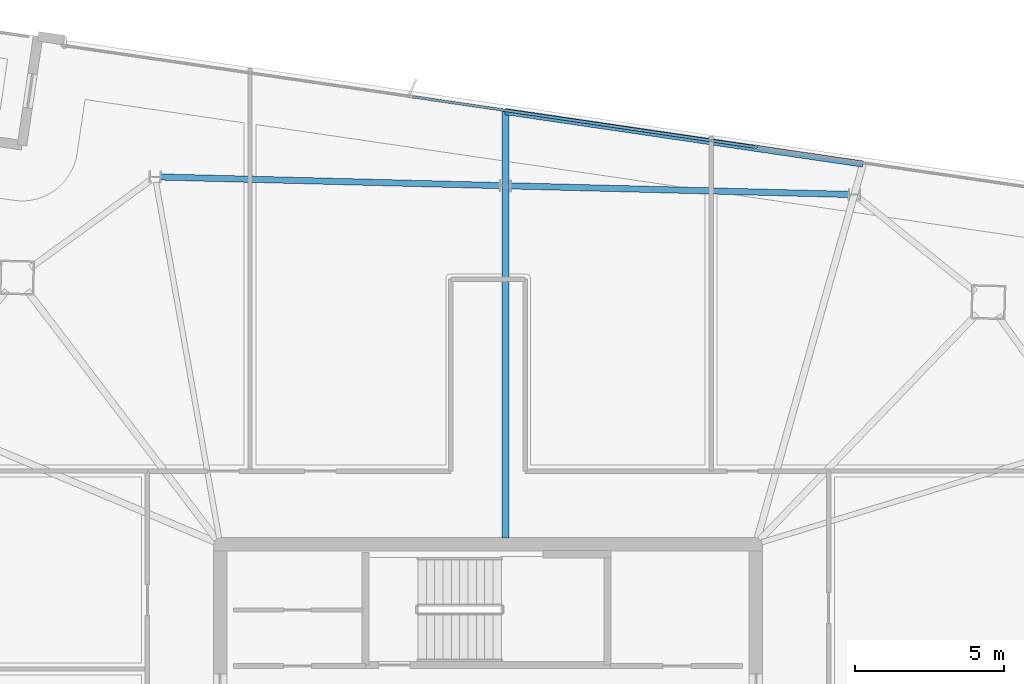
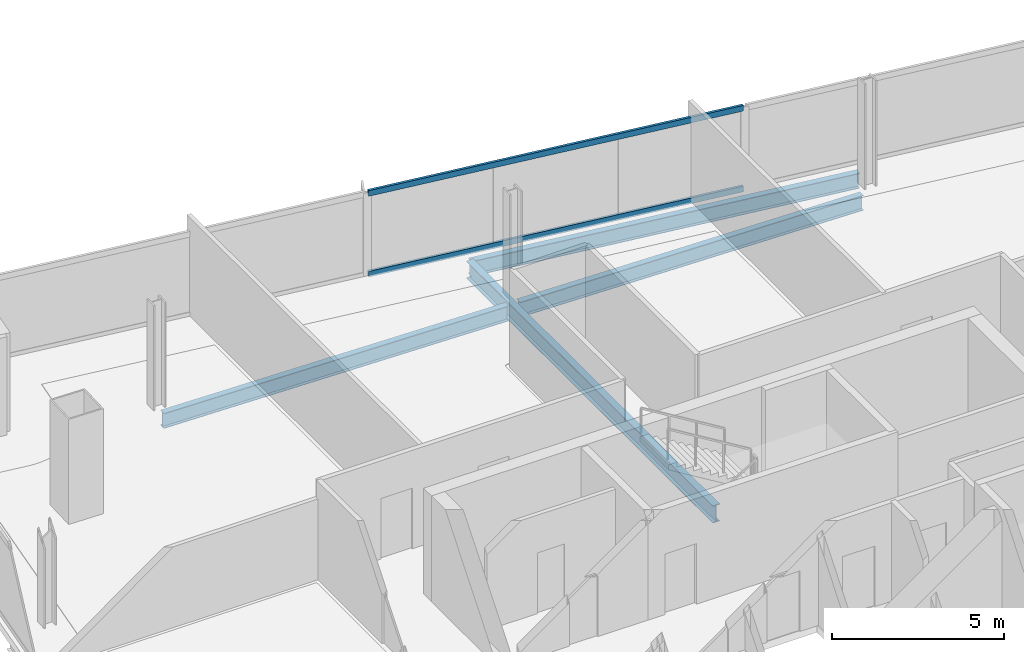
# One storey, part 12 of 22: 4 beams, 2 members, 1 element without a shape of its own.
"""IFC4 building model written with IfcOpenShell, lengths in metres."""

from ifc_helpers import new_model, si_unit, direction, frame, origin, origin_2d, place, context, subcontext, project, spatial, hollow_rectangle, i_section, extrude, material, material_profile, profile_set, type_object, element, aggregate, save


model = new_model("IFC4")

# Units and contexts
model_context = context("Model", 3, precision=1e-05, world=origin(), true_north=direction((0.0, 1.0)))
body_context = subcontext(model_context, "Body", "Model", "MODEL_VIEW")
ifc_project = project(units=[si_unit("LENGTHUNIT", "METRE"), si_unit("AREAUNIT", "SQUARE_METRE"), si_unit("VOLUMEUNIT", "CUBIC_METRE"), si_unit("PLANEANGLEUNIT", "RADIAN"), si_unit("MASSUNIT", "GRAM", prefix="KILO")], contexts=[model_context])

# Site, building, storey
site_placement = place(None, origin())
site = spatial("IfcSite", under=ifc_project, at=site_placement, CompositionType="ELEMENT")
building_placement = place(site_placement, origin())
building = spatial("IfcBuilding", under=site, at=building_placement, Name="Haldenkirk Collegiate Tower", CompositionType="ELEMENT")
storey_placement = place(building_placement, frame((0.0, 0.0, 302.699951171875)))
storey = spatial("IfcBuildingStorey", under=building, at=storey_placement, Name="L76", CompositionType="ELEMENT", Elevation=302.699951171875)

# Beams
ifc_material_1 = material(Name="Steel ASTM A992 Grade 50", Category="steel")
ifc_material_profile_1 = material_profile(ifc_material_1, i_section(OverallWidth=0.22998046875, OverallDepth=0.616943359375, WebThickness=0.01318359375, FlangeThickness=0.022216796875, at=origin_2d()), Name="W24X94")
ifc_profile_set_1 = profile_set([ifc_material_profile_1], Name="Steel ASTM A992 Grade 50")
beam_type_1 = type_object("IfcBeamType", Name="BM-GIRDER-W24X94", PredefinedType="BEAM", material=ifc_profile_set_1)
beam_1_placement = place(storey_placement, frame((36.582275390625, 48.5341796875, -0.568359375), z_axis=(0.0, -1.0, 0.0), x_axis=(1.0, 0.0, 0.0)))
element("IfcBeam", 1, at=beam_1_placement, inside=storey, type_object=beam_type_1, Name="L76 primary floor girder 09", PredefinedType="BEAM", context=body_context, shape_type="SweptSolid", body=[
    extrude(i_section(OverallWidth=0.22998046875, OverallDepth=0.616943359375, WebThickness=0.01318359375, FlangeThickness=0.022216796875, at=origin_2d()), origin(), (0.0, 0.0, 1.0), 14.3291015625),
])
ifc_material_profile_2 = material_profile(ifc_material_1, i_section(OverallWidth=0.2099609375, OverallDepth=0.537109375, WebThickness=0.010986328125, FlangeThickness=0.017333984375, at=origin_2d()), Name="W21X68")
ifc_profile_set_2 = profile_set([ifc_material_profile_2], Name="Steel ASTM A992 Grade 50")
beam_type_2 = type_object("IfcBeamType", Name="BM-SPANDREL-W21X68", PredefinedType="SPANDREL", material=ifc_profile_set_2)
beam_2_placement = place(storey_placement, frame((48.123779296875, 45.74951171875, -0.528564453125), z_axis=(-0.999679864584, 0.025301548267, 0.0), x_axis=(-0.025301548267, -0.999679864584, 0.0)))
element("IfcBeam", 2, at=beam_2_placement, inside=storey, type_object=beam_type_2, Name="L76 perimeter spandrel beam 06", PredefinedType="SPANDREL", context=body_context, shape_type="SweptSolid", body=[
    extrude(i_section(OverallWidth=0.2099609375, OverallDepth=0.537109375, WebThickness=0.010986328125, FlangeThickness=0.017333984375, at=origin_2d()), origin(), (0.0, 0.0, 1.0), 11.357177734375),
])
beam_3_placement = place(storey_placement, frame((36.394287109375, 46.04638671875, -0.528564453125), z_axis=(-0.999680042221, 0.02529452876, 0.0), x_axis=(-0.02529452876, -0.999680042221, 0.0)))
element("IfcBeam", 3, at=beam_3_placement, inside=storey, type_object=beam_type_2, Name="L76 perimeter spandrel beam 07", PredefinedType="SPANDREL", context=body_context, shape_type="SweptSolid", body=[
    extrude(i_section(OverallWidth=0.2099609375, OverallDepth=0.537109375, WebThickness=0.010986328125, FlangeThickness=0.017333984375, at=origin_2d()), origin(), (0.0, 0.0, 1.0), 11.39892578125),
])
beam_4_placement = place(storey_placement, frame((48.6005859375, 46.770263671875, -0.528564453125), z_axis=(-0.989400365191, 0.145213351179, 0.0), x_axis=(-0.145213351179, -0.989400365191, 0.0)))
element("IfcBeam", 4, at=beam_4_placement, inside=storey, type_object=beam_type_2, Name="L76 outer facade edge beam 2", PredefinedType="SPANDREL", context=body_context, shape_type="SweptSolid", body=[
    extrude(i_section(OverallWidth=0.2099609375, OverallDepth=0.537109375, WebThickness=0.010986328125, FlangeThickness=0.017333984375, at=origin_2d()), origin(), (0.0, 0.0, 1.0), 12.14697265625),
])

# Curtain wall, members
ifc_material_2 = material(Name="Anodised architectural bronze aluminium", Category="aluminium")
curtain_wall_type = type_object("IfcCurtainWallType", Name="CW-SYS1B-CONVEX-HI", PredefinedType="USERDEFINED", material=ifc_material_2)
curtain_wall_placement = place(storey_placement, origin())
curtain_wall = element("IfcCurtainWall", 5, at=curtain_wall_placement, inside=storey, type_object=curtain_wall_type, Name="L76 Upper tower high-wind convex bronze unitised curtain wall", ObjectType="UNITISED CURTAIN WALL", PredefinedType="USERDEFINED")
ifc_material_profile_3 = material_profile(ifc_material_2, hollow_rectangle(XDim=0.0849609375, YDim=0.199951171875, WallThickness=0.0048828125, at=origin_2d()), Name="CW-TRN-1B")
ifc_profile_set_3 = profile_set([ifc_material_profile_3], Name="Anodised architectural bronze aluminium")
member_type = type_object("IfcMemberType", Name="CW-TRN-1B", PredefinedType="USERDEFINED", material=ifc_profile_set_3)
member_1_placement = place(storey_placement, frame((33.46044921875, 49.032958984375, 0.04248046875), z_axis=(0.98940038733, -0.145213200331, 0.0), x_axis=(0.145213200331, 0.98940038733, 0.0)))
member_1 = element("IfcMember", 6, at=member_1_placement, type_object=member_type, Name="CW-1B transom 2.1", ObjectType="TRANSOM", PredefinedType="USERDEFINED", context=body_context, shape_type="SweptSolid", body=[
    extrude(hollow_rectangle(XDim=0.0849609375, YDim=0.199951171875, WallThickness=0.0048828125, at=origin_2d()), origin(), (0.0, 0.0, 1.0), 11.715087890625),
])
member_2_placement = place(storey_placement, frame((33.46044921875, 49.032958984375, 2.905517578125), z_axis=(0.98940038733, -0.145213200331, 0.0), x_axis=(0.145213200331, 0.98940038733, 0.0)))
member_2 = element("IfcMember", 7, at=member_2_placement, type_object=member_type, Name="CW-1B transom 2.2", ObjectType="TRANSOM", PredefinedType="USERDEFINED", context=body_context, shape_type="SweptSolid", body=[
    extrude(hollow_rectangle(XDim=0.0849609375, YDim=0.199951171875, WallThickness=0.0048828125, at=origin_2d()), origin(), (0.0, 0.0, 1.0), 11.715087890625),
])
aggregate(curtain_wall, [member_1, member_2])

save(model, "model.ifc")
